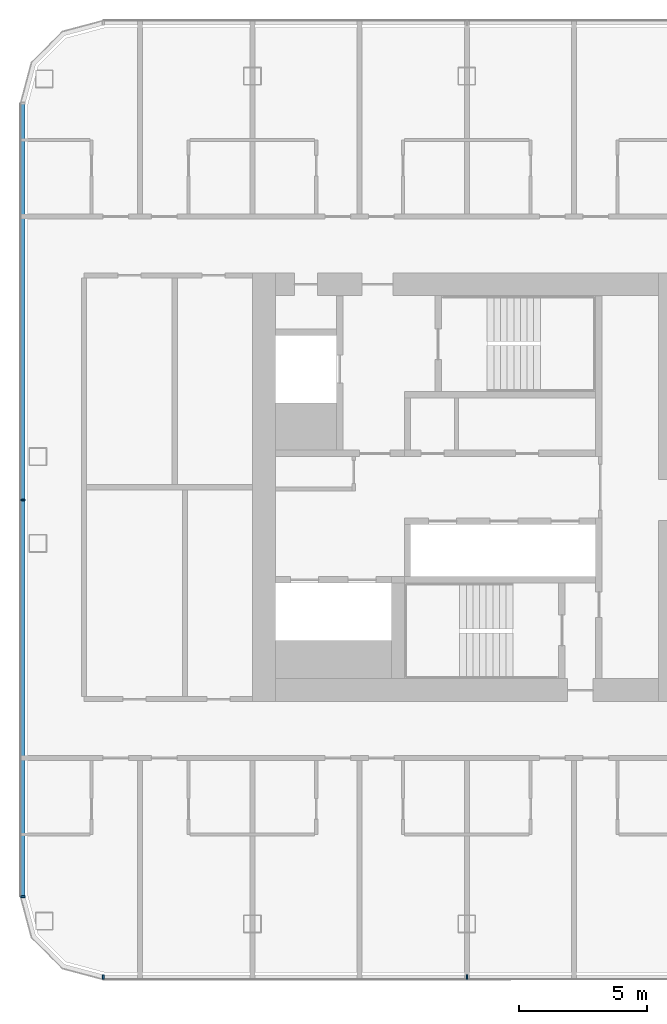
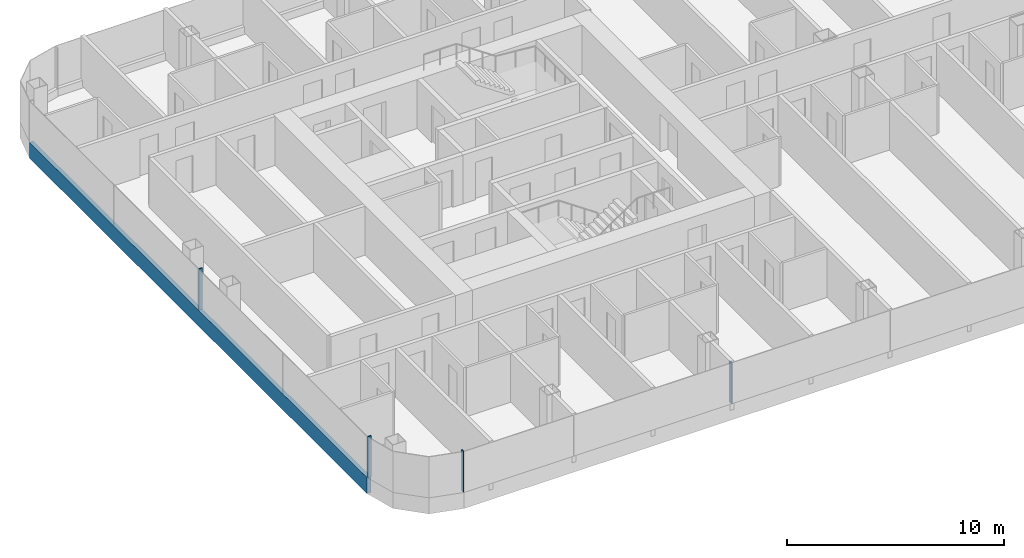
# One storey, part 2 of 27: 5 members, 2 elements without a shape of their own.
"""IFC4 building model written with IfcOpenShell, lengths in metres."""

from ifc_helpers import new_model, si_unit, direction, frame, origin, origin_2d, place, context, subcontext, project, spatial, rectangle, extrude, material, layer, layer_set, material_profile, profile_set, type_object, element, aggregate, save


model = new_model("IFC4")

# Units and contexts
model_context = context("Model", 3, precision=1e-05, world=origin(), true_north=direction((0.0, 1.0)))
body_context = subcontext(model_context, "Body", "Model", "MODEL_VIEW")
ifc_project = project(units=[si_unit("LENGTHUNIT", "METRE"), si_unit("AREAUNIT", "SQUARE_METRE"), si_unit("VOLUMEUNIT", "CUBIC_METRE"), si_unit("PLANEANGLEUNIT", "RADIAN"), si_unit("MASSUNIT", "GRAM", prefix="KILO")], contexts=[model_context])

# Site, building, storey
site_placement = place(None, origin())
site = spatial("IfcSite", under=ifc_project, at=site_placement, CompositionType="ELEMENT")
building_placement = place(site_placement, origin())
building = spatial("IfcBuilding", under=site, at=building_placement, Name="Hakoniwa Tower and Hamabe Station Hall", CompositionType="ELEMENT")
storey_placement = place(building_placement, frame((0.0, 0.0, 166.199951171875)))
storey = spatial("IfcBuildingStorey", under=building, at=storey_placement, Name="L47", CompositionType="ELEMENT", Elevation=166.199951171875)

# Curtain wall, members
ifc_material_1 = material(Name="Dark low-e laminated glass", Category="glass")
ifc_layer = layer(ifc_material_1, 0.199951171875)
ifc_layer_set = layer_set([ifc_layer], Name="CW-1 UNITISED GUEST")
curtain_wall_type = type_object("IfcCurtainWallType", Name="CW-1 UNITISED GUEST", PredefinedType="NOTDEFINED", material=ifc_layer_set)
curtain_wall_1_placement = place(storey_placement, origin())
curtain_wall_1 = element("IfcCurtainWall", 1, at=curtain_wall_1_placement, inside=storey, type_object=curtain_wall_type, Name="CW-1 curtain wall", PredefinedType="NOTDEFINED")
ifc_material_2 = material(Name="Aluminium 6063-T5 black anodised", Category="aluminium")
ifc_material_profile_1 = material_profile(ifc_material_2, rectangle(XDim=0.199951171875, YDim=0.89990234375, at=origin_2d()), Name="CW SLAB-EDGE BAND 900X200")
ifc_profile_set_1 = profile_set([ifc_material_profile_1], Name="Aluminium 6063-T5 black anodised")
member_type_1 = type_object("IfcMemberType", Name="CW SLAB-EDGE BAND 900X200", PredefinedType="USERDEFINED", material=ifc_profile_set_1)
member_1_placement = place(storey_placement, frame((-42.60009765625, 15.03955078125, -0.099853515625), z_axis=(0.0, -1.0, 0.0), x_axis=(1.0, 0.0, 0.0)))
member_1 = element("IfcMember", 2, at=member_1_placement, type_object=member_type_1, Name="CW-1 transom", ObjectType="TRANSOM", PredefinedType="USERDEFINED", context=body_context, shape_type="SweptSolid", body=[
    extrude(rectangle(XDim=0.199951171875, YDim=0.89990234375, at=origin_2d()), origin(), (0.0, 0.0, 1.0), 31.0791015625),
])
ifc_material_3 = material(Name="Aluminium 6063-T5 black anodised", Category="aluminium")
ifc_material_profile_2 = material_profile(ifc_material_3, rectangle(XDim=0.06005859375, YDim=0.179931640625, at=origin_2d()), Name="CW-1 MULLION 60X180")
ifc_profile_set_2 = profile_set([ifc_material_profile_2], Name="Aluminium 6063-T5 black anodised")
member_type_2 = type_object("IfcMemberType", Name="CW-1 MULLION 60X180", PredefinedType="MULLION", material=ifc_profile_set_2)
member_2_placement = place(storey_placement, frame((-42.58203125, -0.5, 0.35009765625), z_axis=(0.0, 0.0, 1.0), x_axis=(0.0, -1.0, 0.0)))
member_2 = element("IfcMember", 3, at=member_2_placement, type_object=member_type_2, Name="CW-1 mullion", PredefinedType="MULLION", context=body_context, shape_type="SweptSolid", body=[
    extrude(rectangle(XDim=0.06005859375, YDim=0.179931640625, at=origin_2d()), origin(), (0.0, 0.0, 1.0), 2.300048828125),
])
member_3_placement = place(storey_placement, frame((-42.58203125, -16.03955078125, 0.35009765625), z_axis=(0.0, 0.0, 1.0), x_axis=(0.0, -1.0, 0.0)))
member_3 = element("IfcMember", 4, at=member_3_placement, type_object=member_type_2, Name="CW-1 mullion", PredefinedType="MULLION", context=body_context, shape_type="SweptSolid", body=[
    extrude(rectangle(XDim=0.06005859375, YDim=0.179931640625, at=origin_2d()), origin(), (0.0, 0.0, 1.0), 2.300048828125),
])
aggregate(curtain_wall_1, [member_2, member_3, member_1])

curtain_wall_2_placement = place(storey_placement, origin())
curtain_wall_2 = element("IfcCurtainWall", 5, at=curtain_wall_2_placement, inside=storey, type_object=curtain_wall_type, Name="CW-1 curtain wall", PredefinedType="NOTDEFINED")
member_4_placement = place(storey_placement, frame((-39.439453125, -19.181884765625, 0.35009765625), z_axis=(0.0, 0.0, 1.0), x_axis=(1.0, 0.0, 0.0)))
member_4 = element("IfcMember", 6, at=member_4_placement, type_object=member_type_2, Name="CW-1 mullion", PredefinedType="MULLION", context=body_context, shape_type="SweptSolid", body=[
    extrude(rectangle(XDim=0.06005859375, YDim=0.179931640625, at=origin_2d()), origin(), (0.0, 0.0, 1.0), 2.300048828125),
])
member_5_placement = place(storey_placement, frame((-25.199951171875, -19.181884765625, 0.35009765625), z_axis=(0.0, 0.0, 1.0), x_axis=(1.0, 0.0, 0.0)))
member_5 = element("IfcMember", 7, at=member_5_placement, type_object=member_type_2, Name="CW-1 mullion", PredefinedType="MULLION", context=body_context, shape_type="SweptSolid", body=[
    extrude(rectangle(XDim=0.06005859375, YDim=0.179931640625, at=origin_2d()), origin(), (0.0, 0.0, 1.0), 2.300048828125),
])
aggregate(curtain_wall_2, [member_4, member_5])

save(model, "model.ifc")
